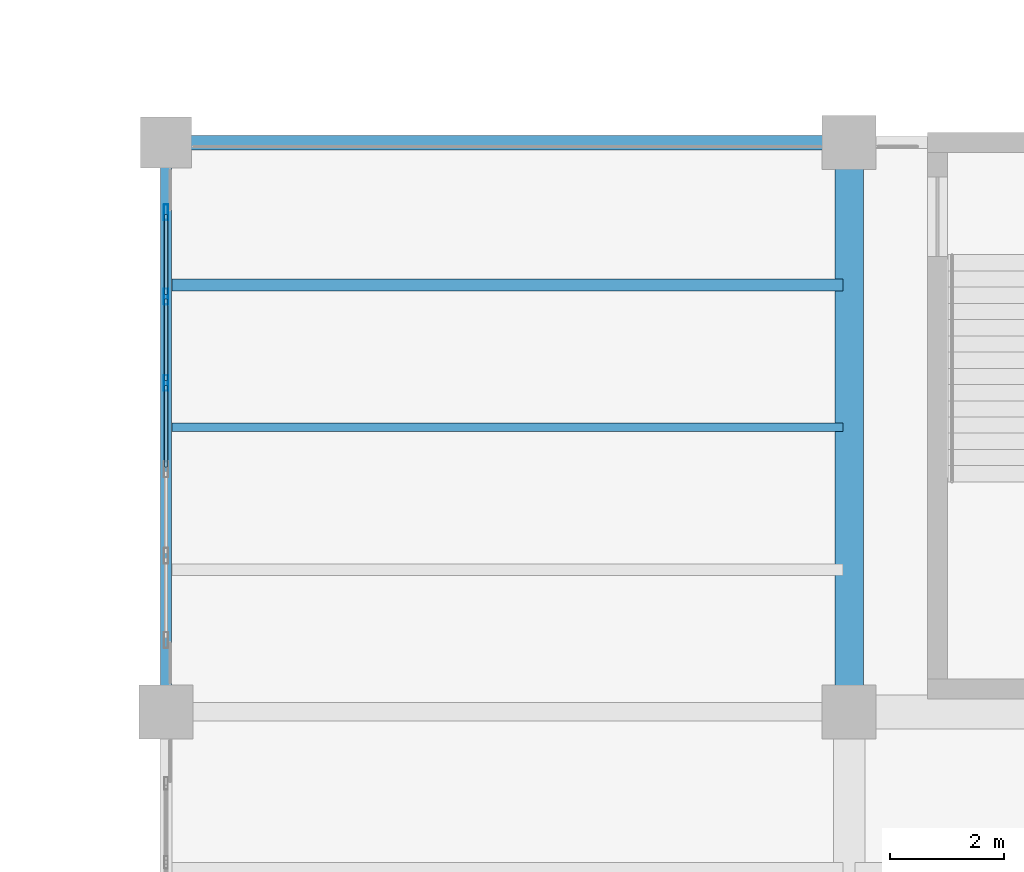
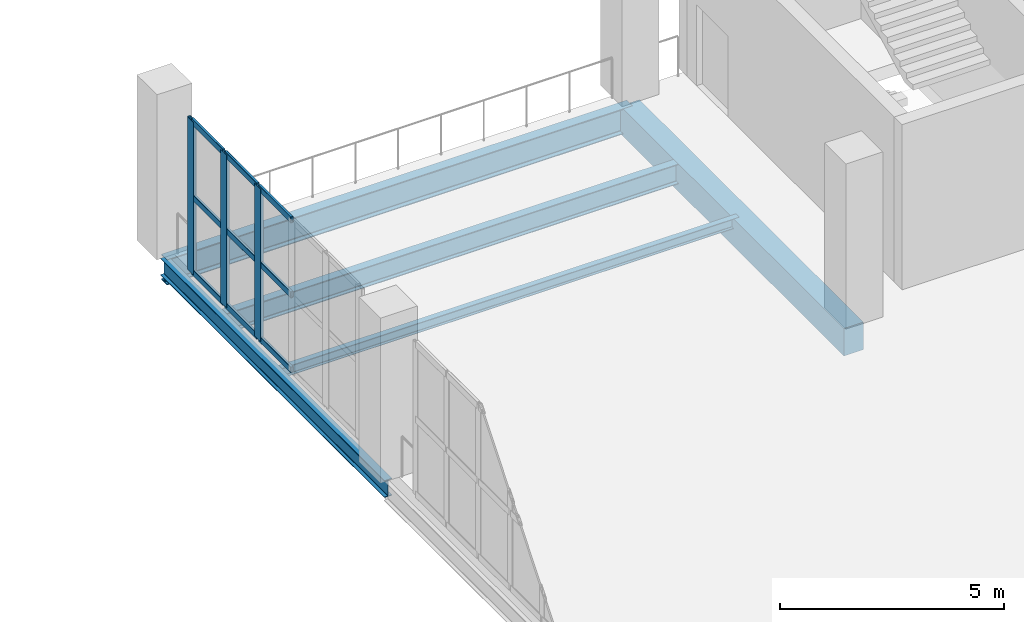
# One storey, part 26 of 90: 12 members, 5 beams, 1 element without a shape of its own.
"""IFC4 building model written with IfcOpenShell, lengths in metres."""

from ifc_helpers import new_model, si_unit, direction, frame, origin, origin_2d, place, context, subcontext, project, spatial, rectangle, hollow_rectangle, i_section, extrude, material, layer, layer_set, material_profile, profile_set, type_object, element, aggregate, save


model = new_model("IFC4")

# Units and contexts
model_context = context("Model", 3, precision=1e-05, world=origin(), true_north=direction((0.0, 1.0)))
body_context = subcontext(model_context, "Body", "Model", "MODEL_VIEW")
ifc_project = project(units=[si_unit("LENGTHUNIT", "METRE"), si_unit("AREAUNIT", "SQUARE_METRE"), si_unit("VOLUMEUNIT", "CUBIC_METRE"), si_unit("PLANEANGLEUNIT", "RADIAN"), si_unit("MASSUNIT", "GRAM", prefix="KILO")], contexts=[model_context])

# Site, building, storey
site_placement = place(None, origin())
site = spatial("IfcSite", under=ifc_project, at=site_placement, CompositionType="ELEMENT")
building_placement = place(site_placement, origin())
building = spatial("IfcBuilding", under=site, at=building_placement, Name="Brinegate Civic Arena", CompositionType="ELEMENT")
storey_placement = place(building_placement, frame((0.0, 0.0, 14.699951171875)))
storey = spatial("IfcBuildingStorey", under=building, at=storey_placement, Name="L03", CompositionType="ELEMENT", Elevation=14.699951171875)

# Curtain wall, members
ifc_material_1 = material(Name="Marine grade aluminium", Category="aluminium")
ifc_layer = layer(ifc_material_1, 0.199951171875, Name="Marine grade aluminium")
ifc_layer_set = layer_set([ifc_layer], Name="Marine grade aluminium")
curtain_wall_type = type_object("IfcCurtainWallType", Name="CW-BOWL-GLAZED-01", PredefinedType="USERDEFINED", material=ifc_layer_set)
curtain_wall_placement = place(storey_placement, origin())
curtain_wall = element("IfcCurtainWall", 1, at=curtain_wall_placement, inside=storey, type_object=curtain_wall_type, Name="Curtain Wall CWA-123", ObjectType="GLAZED CURTAIN WALL", PredefinedType="USERDEFINED")
ifc_material_profile_1 = material_profile(ifc_material_1, hollow_rectangle(XDim=0.080078125, YDim=0.280029296875, WallThickness=0.007080078125, InnerFilletRadius=0.0048828125, OuterFilletRadius=0.010009765625, at=origin_2d()), Name="MUL80X280")
ifc_profile_set_1 = profile_set([ifc_material_profile_1], Name="Marine grade aluminium")
member_type_1 = type_object("IfcMemberType", Name="CW-MULLION-80X280", PredefinedType="MULLION", material=ifc_profile_set_1)
member_1_placement = place(storey_placement, frame((48.0, 109.777099609375, 0.0), z_axis=(0.0, 0.0, 1.0), x_axis=(-1.0, 0.0, 0.0)))
member_1 = element("IfcMember", 2, at=member_1_placement, type_object=member_type_1, Name="CWA-123 mullion 4", PredefinedType="MULLION", context=body_context, shape_type="SweptSolid", body=[
    extrude(hollow_rectangle(XDim=0.080078125, YDim=0.280029296875, WallThickness=0.007080078125, InnerFilletRadius=0.0048828125, OuterFilletRadius=0.010009765625, at=origin_2d()), origin(), (0.0, 0.0, 1.0), 4.16015625),
])
member_2_placement = place(storey_placement, frame((48.0, 111.295654296875, 0.0), z_axis=(0.0, 0.0, 1.0), x_axis=(-1.0, 0.0, 0.0)))
member_2 = element("IfcMember", 3, at=member_2_placement, type_object=member_type_1, Name="CWA-123 mullion 5", PredefinedType="MULLION", context=body_context, shape_type="SweptSolid", body=[
    extrude(hollow_rectangle(XDim=0.080078125, YDim=0.280029296875, WallThickness=0.007080078125, InnerFilletRadius=0.0048828125, OuterFilletRadius=0.010009765625, at=origin_2d()), origin(), (0.0, 0.0, 1.0), 4.16015625),
])
member_3_placement = place(storey_placement, frame((48.0, 112.77392578125, 0.0), z_axis=(0.0, 0.0, 1.0), x_axis=(-1.0, 0.0, 0.0)))
member_3 = element("IfcMember", 4, at=member_3_placement, type_object=member_type_1, Name="CWA-123 mullion 6", PredefinedType="MULLION", context=body_context, shape_type="SweptSolid", body=[
    extrude(hollow_rectangle(XDim=0.080078125, YDim=0.280029296875, WallThickness=0.007080078125, InnerFilletRadius=0.0048828125, OuterFilletRadius=0.010009765625, at=origin_2d()), origin(), (0.0, 0.0, 1.0), 4.16015625),
])
ifc_material_profile_2 = material_profile(ifc_material_1, hollow_rectangle(XDim=0.06494140625, YDim=0.1650390625, WallThickness=0.0048828125, InnerFilletRadius=0.00390625, OuterFilletRadius=0.008056640625, at=origin_2d()), Name="TRN65X165")
ifc_profile_set_2 = profile_set([ifc_material_profile_2], Name="Marine grade aluminium")
member_type_2 = type_object("IfcMemberType", Name="CW-TRANSOM-65X165", PredefinedType="USERDEFINED", material=ifc_profile_set_2)
member_4_placement = place(storey_placement, frame((48.0, 108.298828125, 0.032470703125), z_axis=(0.0, 1.0, 0.0), x_axis=(-1.0, 0.0, 0.0)))
member_4 = element("IfcMember", 5, at=member_4_placement, type_object=member_type_2, Name="CWA-123 transom 3.1", ObjectType="TRANSOM", PredefinedType="USERDEFINED", context=body_context, shape_type="SweptSolid", body=[
    extrude(hollow_rectangle(XDim=0.06494140625, YDim=0.1650390625, WallThickness=0.0048828125, InnerFilletRadius=0.00390625, OuterFilletRadius=0.008056640625, at=origin_2d()), origin(), (0.0, 0.0, 1.0), 1.4384765625),
])
member_5_placement = place(storey_placement, frame((48.0, 108.298828125, 2.080078125), z_axis=(0.0, 1.0, 0.0), x_axis=(-1.0, 0.0, 0.0)))
member_5 = element("IfcMember", 6, at=member_5_placement, type_object=member_type_2, Name="CWA-123 transom 3.2", ObjectType="TRANSOM", PredefinedType="USERDEFINED", context=body_context, shape_type="SweptSolid", body=[
    extrude(hollow_rectangle(XDim=0.06494140625, YDim=0.1650390625, WallThickness=0.0048828125, InnerFilletRadius=0.00390625, OuterFilletRadius=0.008056640625, at=origin_2d()), origin(), (0.0, 0.0, 1.0), 1.4384765625),
])
member_6_placement = place(storey_placement, frame((48.0, 108.298828125, 4.12744140625), z_axis=(0.0, 1.0, 0.0), x_axis=(-1.0, 0.0, 0.0)))
member_6 = element("IfcMember", 7, at=member_6_placement, type_object=member_type_2, Name="CWA-123 transom 3.3", ObjectType="TRANSOM", PredefinedType="USERDEFINED", context=body_context, shape_type="SweptSolid", body=[
    extrude(hollow_rectangle(XDim=0.06494140625, YDim=0.1650390625, WallThickness=0.0048828125, InnerFilletRadius=0.00390625, OuterFilletRadius=0.008056640625, at=origin_2d()), origin(), (0.0, 0.0, 1.0), 1.4384765625),
])
member_7_placement = place(storey_placement, frame((48.0, 109.817138671875, 0.032470703125), z_axis=(0.0, 1.0, 0.0), x_axis=(-1.0, 0.0, 0.0)))
member_7 = element("IfcMember", 8, at=member_7_placement, type_object=member_type_2, Name="CWA-123 transom 4.1", ObjectType="TRANSOM", PredefinedType="USERDEFINED", context=body_context, shape_type="SweptSolid", body=[
    extrude(hollow_rectangle(XDim=0.06494140625, YDim=0.1650390625, WallThickness=0.0048828125, InnerFilletRadius=0.00390625, OuterFilletRadius=0.008056640625, at=origin_2d()), origin(), (0.0, 0.0, 1.0), 1.4384765625),
])
member_8_placement = place(storey_placement, frame((48.0, 109.817138671875, 2.080078125), z_axis=(0.0, 1.0, 0.0), x_axis=(-1.0, 0.0, 0.0)))
member_8 = element("IfcMember", 9, at=member_8_placement, type_object=member_type_2, Name="CWA-123 transom 4.2", ObjectType="TRANSOM", PredefinedType="USERDEFINED", context=body_context, shape_type="SweptSolid", body=[
    extrude(hollow_rectangle(XDim=0.06494140625, YDim=0.1650390625, WallThickness=0.0048828125, InnerFilletRadius=0.00390625, OuterFilletRadius=0.008056640625, at=origin_2d()), origin(), (0.0, 0.0, 1.0), 1.4384765625),
])
member_9_placement = place(storey_placement, frame((48.0, 109.817138671875, 4.12744140625), z_axis=(0.0, 1.0, 0.0), x_axis=(-1.0, 0.0, 0.0)))
member_9 = element("IfcMember", 10, at=member_9_placement, type_object=member_type_2, Name="CWA-123 transom 4.3", ObjectType="TRANSOM", PredefinedType="USERDEFINED", context=body_context, shape_type="SweptSolid", body=[
    extrude(hollow_rectangle(XDim=0.06494140625, YDim=0.1650390625, WallThickness=0.0048828125, InnerFilletRadius=0.00390625, OuterFilletRadius=0.008056640625, at=origin_2d()), origin(), (0.0, 0.0, 1.0), 1.4384765625),
])
member_10_placement = place(storey_placement, frame((48.0, 111.335693359375, 0.032470703125), z_axis=(0.0, 1.0, 0.0), x_axis=(-1.0, 0.0, 0.0)))
member_10 = element("IfcMember", 11, at=member_10_placement, type_object=member_type_2, Name="CWA-123 transom 5.1", ObjectType="TRANSOM", PredefinedType="USERDEFINED", context=body_context, shape_type="SweptSolid", body=[
    extrude(hollow_rectangle(XDim=0.06494140625, YDim=0.1650390625, WallThickness=0.0048828125, InnerFilletRadius=0.00390625, OuterFilletRadius=0.008056640625, at=origin_2d()), origin(), (0.0, 0.0, 1.0), 1.398193359375),
])
member_11_placement = place(storey_placement, frame((48.0, 111.335693359375, 2.080078125), z_axis=(0.0, 1.0, 0.0), x_axis=(-1.0, 0.0, 0.0)))
member_11 = element("IfcMember", 12, at=member_11_placement, type_object=member_type_2, Name="CWA-123 transom 5.2", ObjectType="TRANSOM", PredefinedType="USERDEFINED", context=body_context, shape_type="SweptSolid", body=[
    extrude(hollow_rectangle(XDim=0.06494140625, YDim=0.1650390625, WallThickness=0.0048828125, InnerFilletRadius=0.00390625, OuterFilletRadius=0.008056640625, at=origin_2d()), origin(), (0.0, 0.0, 1.0), 1.398193359375),
])
member_12_placement = place(storey_placement, frame((48.0, 111.335693359375, 4.12744140625), z_axis=(0.0, 1.0, 0.0), x_axis=(-1.0, 0.0, 0.0)))
member_12 = element("IfcMember", 13, at=member_12_placement, type_object=member_type_2, Name="CWA-123 transom 5.3", ObjectType="TRANSOM", PredefinedType="USERDEFINED", context=body_context, shape_type="SweptSolid", body=[
    extrude(hollow_rectangle(XDim=0.06494140625, YDim=0.1650390625, WallThickness=0.0048828125, InnerFilletRadius=0.00390625, OuterFilletRadius=0.008056640625, at=origin_2d()), origin(), (0.0, 0.0, 1.0), 1.398193359375),
])
aggregate(curtain_wall, [member_1, member_2, member_3, member_4, member_5, member_6, member_7, member_8, member_9, member_10, member_11, member_12])

# Beams
ifc_material_2 = material(Name="Steel S355", Category="steel")
ifc_material_profile_3 = material_profile(ifc_material_2, i_section(OverallWidth=0.14794921875, OverallDepth=0.26611328125, WebThickness=0.008056640625, FlangeThickness=0.012939453125, FilletRadius=0.011962890625, at=origin_2d()), Name="W250X45")
ifc_profile_set_3 = profile_set([ifc_material_profile_3], Name="Steel S355")
beam_type_1 = type_object("IfcBeamType", Name="JOIST-W250X45", PredefinedType="JOIST", material=ifc_profile_set_3)
beam_1_placement = place(storey_placement, frame((48.10595703125, 109.0, -0.48291015625), z_axis=(1.0, 0.0, 0.0), x_axis=(0.0, 1.0, 0.0)))
element("IfcBeam", 14, at=beam_1_placement, inside=storey, type_object=beam_type_1, Name="Secondary Joist BM-L03-JX-04-10-2", PredefinedType="JOIST", context=body_context, shape_type="SweptSolid", body=[
    extrude(i_section(OverallWidth=0.14794921875, OverallDepth=0.26611328125, WebThickness=0.008056640625, FlangeThickness=0.012939453125, FilletRadius=0.011962890625, at=origin_2d()), origin(), (0.0, 0.0, 1.0), 11.7880859375),
])
ifc_material_profile_4 = material_profile(ifc_material_2, i_section(OverallWidth=0.2119140625, OverallDepth=0.5439453125, WebThickness=0.012939453125, FlangeThickness=0.02099609375, FilletRadius=0.01611328125, at=origin_2d()), Name="W530X123")
ifc_profile_set_4 = profile_set([ifc_material_profile_4], Name="Steel S355")
beam_type_2 = type_object("IfcBeamType", Name="JOIST-W530X123", PredefinedType="JOIST", material=ifc_profile_set_4)
beam_2_placement = place(storey_placement, frame((48.10595703125, 111.5, -0.6220703125), z_axis=(1.0, 0.0, 0.0), x_axis=(0.0, 1.0, 0.0)))
element("IfcBeam", 15, at=beam_2_placement, inside=storey, type_object=beam_type_2, Name="Secondary Joist BM-L03-JX-04-10-3", PredefinedType="JOIST", context=body_context, shape_type="SweptSolid", body=[
    extrude(i_section(OverallWidth=0.2119140625, OverallDepth=0.5439453125, WebThickness=0.012939453125, FlangeThickness=0.02099609375, FilletRadius=0.01611328125, at=origin_2d()), origin(), (0.0, 0.0, 1.0), 11.7880859375),
])
ifc_material_3 = material(Name="Concrete C50/60", Category="concrete")
ifc_material_profile_5 = material_profile(ifc_material_3, rectangle(XDim=0.5, YDim=0.75, at=origin_2d()), Name="RCB500X750")
ifc_profile_set_5 = profile_set([ifc_material_profile_5], Name="Concrete C50/60")
beam_type_3 = type_object("IfcBeamType", Name="RCG-500X750", PredefinedType="BEAM", material=ifc_profile_set_5)
beam_3_placement = place(storey_placement, frame((60.0, 104.0, -0.724853515625), z_axis=(0.0, 1.0, 0.0), x_axis=(-1.0, 0.0, 0.0)))
element("IfcBeam", 16, at=beam_3_placement, inside=storey, type_object=beam_type_3, Name="Floor Girder BM-L03-GY-05-10", PredefinedType="BEAM", context=body_context, shape_type="SweptSolid", body=[
    extrude(rectangle(XDim=0.5, YDim=0.75, at=origin_2d()), origin(), (0.0, 0.0, 1.0), 10.0),
])
ifc_material_profile_6 = material_profile(ifc_material_2, i_section(OverallWidth=0.193115234375, OverallDepth=0.466064453125, WebThickness=0.010986328125, FlangeThickness=0.01904296875, FilletRadius=0.014892578125, at=origin_2d()), Name="W460X97")
ifc_profile_set_6 = profile_set([ifc_material_profile_6], Name="Steel S355")
beam_type_4 = type_object("IfcBeamType", Name="SPANDREL-W460X97", PredefinedType="SPANDREL", material=ifc_profile_set_6)
beam_4_placement = place(storey_placement, frame((48.0, 104.0, -0.5830078125), z_axis=(0.0, 1.0, 0.0), x_axis=(-1.0, 0.0, 0.0)))
element("IfcBeam", 17, at=beam_4_placement, inside=storey, type_object=beam_type_4, Name="Floor Girder BM-L03-GY-04-10", PredefinedType="SPANDREL", context=body_context, shape_type="SweptSolid", body=[
    extrude(i_section(OverallWidth=0.193115234375, OverallDepth=0.466064453125, WebThickness=0.010986328125, FlangeThickness=0.01904296875, FilletRadius=0.014892578125, at=origin_2d()), origin(), (0.0, 0.0, 1.0), 10.0),
])
ifc_material_profile_7 = material_profile(ifc_material_2, i_section(OverallWidth=0.256103515625, OverallDepth=0.693115234375, WebThickness=0.014892578125, FlangeThickness=0.02392578125, FilletRadius=0.01806640625, at=origin_2d()), Name="W690X170")
ifc_profile_set_7 = profile_set([ifc_material_profile_7], Name="Steel S355")
beam_type_5 = type_object("IfcBeamType", Name="SPANDREL-W690X170", PredefinedType="SPANDREL", material=ifc_profile_set_7)
beam_5_placement = place(storey_placement, frame((48.0, 114.0, -0.696044921875), z_axis=(1.0, 0.0, 0.0), x_axis=(0.0, 1.0, 0.0)))
element("IfcBeam", 18, at=beam_5_placement, inside=storey, type_object=beam_type_5, Name="Floor Girder BM-L03-GX-04-11", PredefinedType="SPANDREL", context=body_context, shape_type="SweptSolid", body=[
    extrude(i_section(OverallWidth=0.256103515625, OverallDepth=0.693115234375, WebThickness=0.014892578125, FlangeThickness=0.02392578125, FilletRadius=0.01806640625, at=origin_2d()), origin(), (0.0, 0.0, 1.0), 12.0),
])

save(model, "model.ifc")
